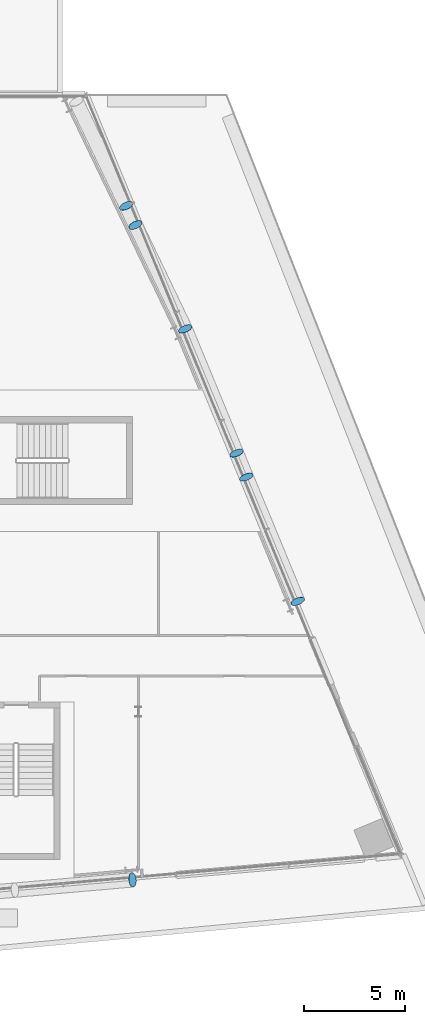
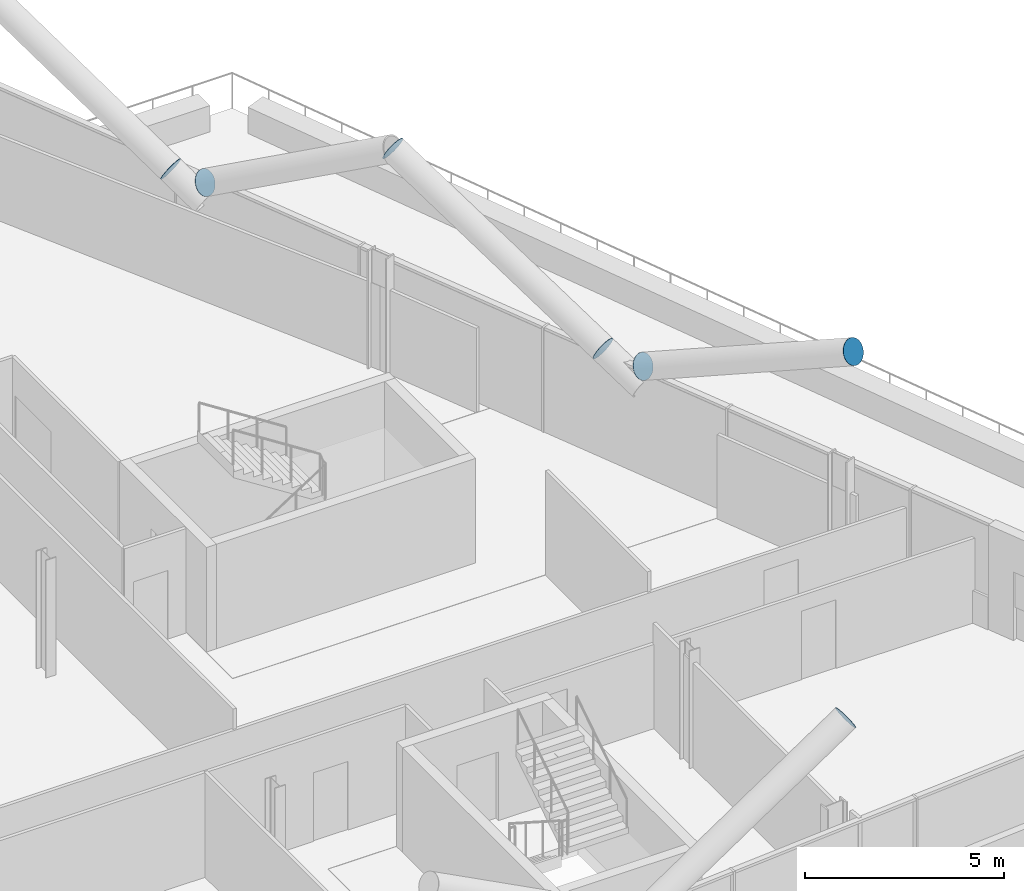
# One storey, part 26 of 30: 7 discrete accessories.
"""IFC4 building model written with IfcOpenShell, lengths in metres."""

from ifc_helpers import new_model, si_unit, direction, frame, origin, origin_2d, place, context, subcontext, project, spatial, circle, extrude, material, material_profile, profile_set, type_object, element, save


model = new_model("IFC4")

# Units and contexts
model_context = context("Model", 3, precision=1e-05, world=origin(), true_north=direction((0.0, 1.0)))
body_context = subcontext(model_context, "Body", "Model", "MODEL_VIEW")
ifc_project = project(units=[si_unit("LENGTHUNIT", "METRE"), si_unit("AREAUNIT", "SQUARE_METRE"), si_unit("VOLUMEUNIT", "CUBIC_METRE"), si_unit("PLANEANGLEUNIT", "RADIAN"), si_unit("MASSUNIT", "GRAM", prefix="KILO")], contexts=[model_context])

# Site, building, storey
site_placement = place(None, origin())
site = spatial("IfcSite", under=ifc_project, at=site_placement, CompositionType="ELEMENT")
building_placement = place(site_placement, origin())
building = spatial("IfcBuilding", under=site, at=building_placement, Name="Wharfspan Tower", CompositionType="ELEMENT")
storey_placement = place(building_placement, frame((0.0, 0.0, 151.899902)))
storey = spatial("IfcBuildingStorey", under=building, at=storey_placement, Name="L36", CompositionType="ELEMENT", Elevation=151.899902)

# Discrete accessories
ifc_material = material(Name="Steel S460NH", Category="steel")
ifc_material_profile = material_profile(ifc_material, circle(Radius=0.355469, at=origin_2d()))
ifc_profile_set = profile_set([ifc_material_profile], Name="Steel S460NH")
discrete_accessory_type = type_object("IfcDiscreteAccessoryType", Name="End plate CHS 711x36", PredefinedType="BRACKET", material=ifc_profile_set)
for number, where, z_axis, x_axis, name in (
    (1, (71.706055, 3.181641, 6.5), (0.855186, 0.073302, 0.513112), (-0.085402, 0.996345, 1e-06), "End plate CHS 711x36"),
    (2, (76.857666, 24.266846, 3.212402), (-0.341972, 0.830504, 0.439679), (-0.924678, -0.380749, -1e-06), "End plate CHS 711x36"),
    (3, (74.320557, 30.411865, 6.5), (-0.338259, 0.821486, 0.459066), (-0.924676, -0.380749, 0.0), "End plate CHS 711x36"),
    (4, (77.3396, 23.099609, 3.212402), (0.341972, -0.830504, 0.439679), (0.924678, 0.380749, -1e-06), "End plate CHS 711x36"),
    (5, (79.876465, 16.954346, 6.5), (0.338259, -0.821486, 0.459066), (0.924676, 0.380749, 0.0), "End plate CHS 711x36"),
    (6, (71.404785, 36.496582, 3.200928), (-0.369386, 0.788024, 0.492515), (-0.905459, -0.424433, -1e-06), "End plate CHS 711x36"),
    (7, (71.854492, 35.55835, 3.200928), (0.369386, -0.788024, 0.492515), (0.905459, 0.424433, -1e-06), "End plate CHS 711x36"),
):
    element("IfcDiscreteAccessory", number, at=place(storey_placement, frame(where, z_axis=z_axis, x_axis=x_axis)), inside=storey, type_object=discrete_accessory_type, Name=name, PredefinedType="BRACKET", context=body_context, shape_type="SweptSolid", body=[
        extrude(circle(Radius=0.355469, at=origin_2d()), origin(), (0.0, 0.0, 1.0), 0.01001),
    ])

save(model, "model.ifc")
